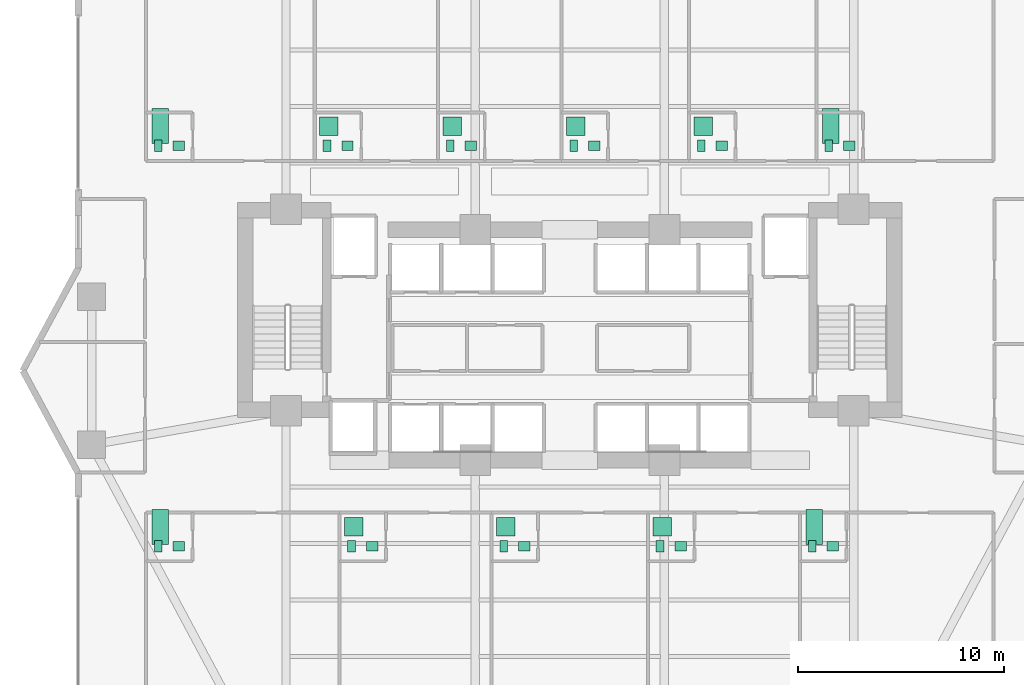
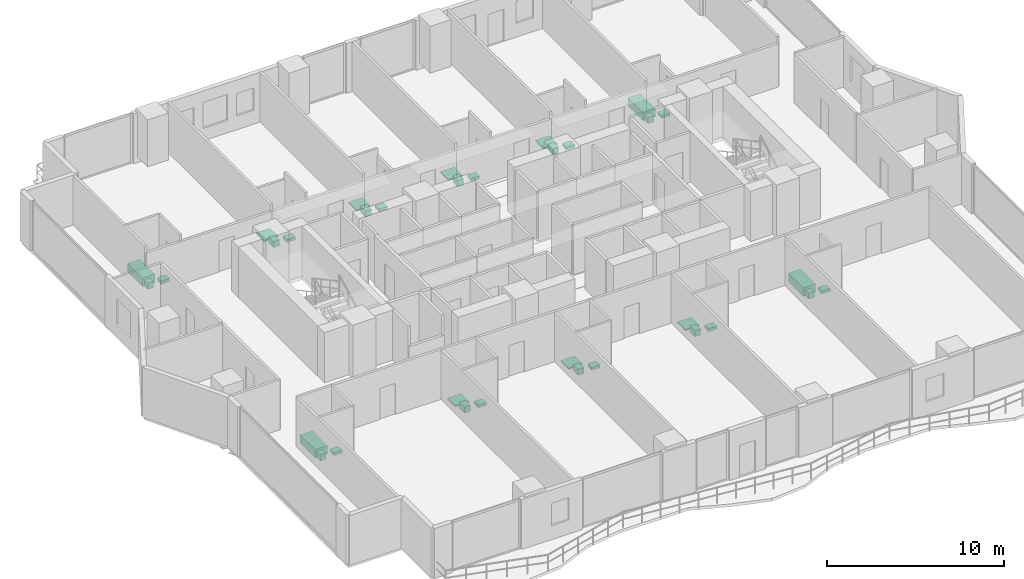
# One storey, part 29 of 29: 33 sanitary terminals.
"""IFC4 building model written with IfcOpenShell, lengths in metres."""

import ifcopenshell
import ifcopenshell.guid

model = None  # the IFC model being written
_history = None  # IfcOwnerHistory: only IFC2X3 demands one
_inside = {}  # id of a spatial element -> (the spatial element, [elements in it])
_under = {}  # id of a project, library or spatial element -> (it, [spatial elements below it])
_declared = {}  # id of a project -> (the project, [libraries it declares])
_typed = {}  # id of a type object -> (the type object, [elements of that type])
_made_of = {}  # id of a material, layer set ... -> (it, [elements and type objects made of it])


def new_model(schema):
    """Start an empty IFC model of exactly this schema.

    Asked for "IFC4X3", IfcOpenShell would pick the latest addendum, in which some entities
    have other attributes; the version numbers below select the first issue.
    IFC2X3 requires an IfcOwnerHistory on every rooted entity: one is made here for all.
    """
    global model, _history
    if schema == "IFC4X3":
        model = ifcopenshell.file(schema_version=(4, 3, 0, 0))
    else:
        model = ifcopenshell.file(schema=schema)
    _inside.clear()
    _under.clear()
    _declared.clear()
    _typed.clear()
    _made_of.clear()
    _history = None
    if model.schema == "IFC2X3":
        org = make("IfcOrganization", Name="unknown")
        user = make(
            "IfcPersonAndOrganization",
            ThePerson=make("IfcPerson", FamilyName="unknown"),
            TheOrganization=org,
        )
        app = make(
            "IfcApplication",
            ApplicationDeveloper=org,
            Version="unknown",
            ApplicationFullName="unknown",
            ApplicationIdentifier="unknown",
        )
        _history = make(
            "IfcOwnerHistory",
            OwningUser=user,
            OwningApplication=app,
            ChangeAction="ADDED",
            CreationDate=0,
        )
    return model


def make(cls, **values):
    """One entity of the class cls with the attributes given. An attribute that is None is left unset."""
    return model.create_entity(
        cls, **{name: value for name, value in values.items() if value is not None}
    )


def rooted(cls, **values):
    """An entity with a GlobalId (a new one), such as an element, a storey or a relation."""
    return make(cls, GlobalId=ifcopenshell.guid.new(), OwnerHistory=_history, **values)


def si_unit(unit_type, name, prefix=None):
    """IfcSIUnit, for example si_unit("LENGTHUNIT", "METRE", prefix="MILLI")."""
    return make("IfcSIUnit", UnitType=unit_type, Prefix=prefix, Name=name)


def assignment(units):
    """IfcUnitAssignment: the units of a project."""
    return None if units is None else make("IfcUnitAssignment", Units=units)


def point(xyz):
    """IfcCartesianPoint."""
    return None if xyz is None else make("IfcCartesianPoint", Coordinates=xyz)


def direction(xyz):
    """IfcDirection."""
    return None if xyz is None else make("IfcDirection", DirectionRatios=xyz)


def frame(location, z_axis=None, x_axis=None):
    """IfcAxis2Placement3D, a coordinate frame: its origin and axes. An axis left out is left unset."""
    return make(
        "IfcAxis2Placement3D",
        Location=point(location),
        Axis=direction(z_axis),
        RefDirection=direction(x_axis),
    )


def frame_2d(location, x_axis=None):
    """IfcAxis2Placement2D, a coordinate frame in the plane: its origin and x axis."""
    return make(
        "IfcAxis2Placement2D", Location=point(location), RefDirection=direction(x_axis)
    )


def origin():
    """The frame at (0, 0, 0) with its axes left unset."""
    return frame((0.0, 0.0, 0.0))


def origin_2d():
    """The frame at (0, 0) in the plane with its x axis left unset."""
    return frame_2d((0.0, 0.0))


def place(relative_to, where):
    """IfcLocalPlacement: puts the frame where relative to a parent placement (None: the world)."""
    return make(
        "IfcLocalPlacement", PlacementRelTo=relative_to, RelativePlacement=where
    )


def context(
    kind, dimensions, precision=None, world=None, true_north=None, identifier=None
):
    """IfcGeometricRepresentationContext, for example the 3D "Model" context."""
    return make(
        "IfcGeometricRepresentationContext",
        ContextIdentifier=identifier,
        ContextType=kind,
        CoordinateSpaceDimension=dimensions,
        Precision=precision,
        WorldCoordinateSystem=world,
        TrueNorth=true_north,
    )


def subcontext(parent, identifier, kind, view, scale=None):
    """IfcGeometricRepresentationSubContext, for example "Body" below "Model"."""
    return make(
        "IfcGeometricRepresentationSubContext",
        ContextIdentifier=identifier,
        ContextType=kind,
        ParentContext=parent,
        TargetScale=scale,
        TargetView=view,
    )


def project(units=None, contexts=None):
    """IfcProject with its units and contexts."""
    return rooted(
        "IfcProject",
        Name="project",
        RepresentationContexts=contexts,
        UnitsInContext=assignment(units),
    )


def spatial(cls, under=None, at=None, **own):
    """A site, building, storey or space (cls), placed at a placement, below another one or the project."""
    s = rooted(cls, ObjectPlacement=at, **own)
    if under is not None:
        _under.setdefault(under.id(), (under, []))[1].append(s)
    return s


def profile(cls, at=None, kind="AREA", **sizes):
    """A parametric profile (cls). Its sizes go by their IFC names, for example OverallWidth=200.0."""
    return make(cls, ProfileType=kind, Position=at, **sizes)


def rectangle(**sizes):
    """IfcRectangleProfileDef."""
    return profile("IfcRectangleProfileDef", **sizes)


def extrude(swept, where, along, depth):
    """IfcExtrudedAreaSolid: the profile swept, set in the frame where, extruded along a direction by depth."""
    return make(
        "IfcExtrudedAreaSolid",
        SweptArea=swept,
        Position=where,
        ExtrudedDirection=direction(along),
        Depth=depth,
    )


def shape(context_of_items, identifier, shape_type, items):
    """IfcShapeRepresentation: the items that make up one representation, for example the "Body"."""
    return make(
        "IfcShapeRepresentation",
        ContextOfItems=context_of_items,
        RepresentationIdentifier=identifier,
        RepresentationType=shape_type,
        Items=items,
    )


def material(Name=None, Category=None):
    """IfcMaterial."""
    return make("IfcMaterial", Name=Name, Category=Category)


def made_of(thing, what):
    """Note that an element or type object is made of a material, layer set ...; save() writes the relation."""
    if what is not None:
        _made_of.setdefault(what.id(), (what, []))[1].append(thing)
    return thing


def type_object(cls, material=None, **own):
    """A type object (cls), such as IfcWallType, which elements share."""
    return made_of(rooted(cls, **own), material)


def element(
    cls,
    number,
    at=None,
    inside=None,
    cuts=None,
    type_object=None,
    material=None,
    context=None,
    identifier="Body",
    shape_type=None,
    held_by="IfcProductDefinitionShape",
    body=None,
    shapes=None,
    **own,
):
    """One element of the class cls, such as IfcWall. Its Tag is "e" and its number.

    at: its placement. inside: the storey or other place that contains it. cuts: it is an
    opening in that element (IfcRelVoidsElement). A single representation is given by context,
    identifier, shape_type and body (its items); several are given by shapes. held_by: the class
    of the entity that holds the representations. save() writes the other relations.
    """
    e = rooted(cls, Tag="e%d" % number, ObjectPlacement=at, **own)
    if body is not None:
        shapes = [shape(context, identifier, shape_type, body)]
    if shapes is not None:
        e.Representation = make(held_by, Representations=shapes)
    if inside is not None:
        _inside.setdefault(inside.id(), (inside, []))[1].append(e)
    if cuts is not None:
        rooted(
            "IfcRelVoidsElement", RelatingBuildingElement=cuts, RelatedOpeningElement=e
        )
    if type_object is not None:
        _typed.setdefault(type_object.id(), (type_object, []))[1].append(e)
    return made_of(e, material)


def aggregate(whole, parts):
    """IfcRelAggregates: a whole, such as a stair, and the parts it consists of."""
    return rooted("IfcRelAggregates", RelatingObject=whole, RelatedObjects=parts)


def save(model, path):
    """Write the relations noted so far, then the file.

    IfcRelAggregates (storeys below a building ...), IfcRelContainedInSpatialStructure (elements
    in a storey), IfcRelDefinesByType, IfcRelAssociatesMaterial and IfcRelDeclares: one each for
    every whole, place, type object, material and project.
    """
    for whole, parts in _under.values():
        aggregate(whole, parts)
    for where, things in _inside.values():
        rooted(
            "IfcRelContainedInSpatialStructure",
            RelatedElements=things,
            RelatingStructure=where,
        )
    for kind, things in _typed.values():
        rooted("IfcRelDefinesByType", RelatedObjects=things, RelatingType=kind)
    for what, things in _made_of.values():
        rooted("IfcRelAssociatesMaterial", RelatedObjects=things, RelatingMaterial=what)
    for by, libraries in _declared.values():
        rooted("IfcRelDeclares", RelatingContext=by, RelatedDefinitions=libraries)
    model.write(path)


model = new_model("IFC4")

# Units and contexts
model_context = context("Model", 3, precision=1e-05, world=origin(), true_north=direction((0.0, 1.0)))
body_context = subcontext(model_context, "Body", "Model", "MODEL_VIEW")
ifc_project = project(units=[si_unit("LENGTHUNIT", "METRE"), si_unit("AREAUNIT", "SQUARE_METRE"), si_unit("VOLUMEUNIT", "CUBIC_METRE"), si_unit("PLANEANGLEUNIT", "RADIAN"), si_unit("MASSUNIT", "GRAM", prefix="KILO")], contexts=[model_context])

# Site, building, storey
site_placement = place(None, origin())
site = spatial("IfcSite", under=ifc_project, at=site_placement, CompositionType="ELEMENT")
building_placement = place(site_placement, origin())
building = spatial("IfcBuilding", under=site, at=building_placement, Name="Zuhayl Quay Hotel", CompositionType="ELEMENT")
storey_placement = place(building_placement, frame((0.0, 0.0, 95.64990234375)))
storey = spatial("IfcBuildingStorey", under=building, at=storey_placement, Name="L23", CompositionType="ELEMENT", Elevation=95.64990234375)

# Sanitary terminals
ifc_material = material(Name="Vitreous Porcelain Sanitaryware")
sanitary_terminal_type_1 = type_object("IfcSanitaryTerminalType", Name="SAN_BASIN", PredefinedType="WASHHANDBASIN", material=ifc_material)
for number, where, z_axis, x_axis, name in (
    (1, (-19.010009765625, 17.43994140625, 0.0), (0.0, 0.0, 1.0), (1.0, 0.0, 0.0), "L23 Sanitary Fixture WASHHANDBASIN"),
    (2, (-10.81005859375, 17.43994140625, 0.0), (0.0, 0.0, 1.0), (1.0, 0.0, 0.0), "L23 Sanitary Fixture WASHHANDBASIN"),
    (3, (-4.81005859375, 17.43994140625, 0.0), (0.0, 0.0, 1.0), (1.0, 0.0, 0.0), "L23 Sanitary Fixture WASHHANDBASIN"),
    (4, (1.18994140625, 17.43994140625, 0.0), (0.0, 0.0, 1.0), (1.0, 0.0, 0.0), "L23 Sanitary Fixture WASHHANDBASIN"),
    (5, (7.389892578125, 17.43994140625, 0.0), (0.0, 0.0, 1.0), (1.0, 0.0, 0.0), "L23 Sanitary Fixture WASHHANDBASIN"),
    (6, (13.590087890625, 17.43994140625, 0.0), (0.0, 0.0, 1.0), (1.0, 0.0, 0.0), "L23 Sanitary Fixture WASHHANDBASIN"),
    (7, (-19.010009765625, -2.0400390625, 0.0), (0.0, 0.0, 1.0), (1.0, 0.0, 0.0), "L23 Sanitary Fixture WASHHANDBASIN"),
    (8, (-9.610107421875, -2.0400390625, 0.0), (0.0, 0.0, 1.0), (1.0, 0.0, 0.0), "L23 Sanitary Fixture WASHHANDBASIN"),
    (9, (-2.2099609375, -2.0400390625, 0.0), (0.0, 0.0, 1.0), (1.0, 0.0, 0.0), "L23 Sanitary Fixture WASHHANDBASIN"),
    (10, (5.389892578125, -2.0400390625, 0.0), (0.0, 0.0, 1.0), (1.0, 0.0, 0.0), "L23 Sanitary Fixture WASHHANDBASIN"),
    (11, (12.7900390625, -2.0400390625, 0.0), (0.0, 0.0, 1.0), (1.0, 0.0, 0.0), "L23 Sanitary Fixture WASHHANDBASIN"),
):
    element("IfcSanitaryTerminal", number, at=place(storey_placement, frame(where, z_axis=z_axis, x_axis=x_axis)), inside=storey, type_object=sanitary_terminal_type_1, Name=name, PredefinedType="WASHHANDBASIN", context=body_context, shape_type="SweptSolid", body=[
        extrude(rectangle(XDim=0.550048828125, YDim=0.449951171875, at=origin_2d()), origin(), (0.0, 0.0, 1.0), 0.199951171875),
    ])
sanitary_terminal_type_2 = type_object("IfcSanitaryTerminalType", Name="SAN_BATH", PredefinedType="BATH", material=ifc_material)
for number, where, z_axis, x_axis, name in (
    (12, (-19.909912109375, 18.389892578125, 0.0), (0.0, 0.0, 1.0), (1.0, 0.0, 0.0), "L23 Sanitary Fixture BATH"),
    (13, (12.68994140625, 18.389892578125, 0.0), (0.0, 0.0, 1.0), (1.0, 0.0, 0.0), "L23 Sanitary Fixture BATH"),
    (14, (-19.909912109375, -1.090087890625, 0.0), (0.0, 0.0, 1.0), (1.0, 0.0, 0.0), "L23 Sanitary Fixture BATH"),
    (15, (11.889892578125, -1.090087890625, 0.0), (0.0, 0.0, 1.0), (1.0, 0.0, 0.0), "L23 Sanitary Fixture BATH"),
):
    element("IfcSanitaryTerminal", number, at=place(storey_placement, frame(where, z_axis=z_axis, x_axis=x_axis)), inside=storey, type_object=sanitary_terminal_type_2, Name=name, PredefinedType="BATH", context=body_context, shape_type="SweptSolid", body=[
        extrude(rectangle(XDim=0.800048828125, YDim=1.699951171875, at=origin_2d()), origin(), (0.0, 0.0, 1.0), 0.580078125),
    ])
sanitary_terminal_type_3 = type_object("IfcSanitaryTerminalType", Name="SAN_SHOWER", PredefinedType="SHOWER", material=ifc_material)
for number, where, z_axis, x_axis, name in (
    (16, (-11.7099609375, 18.389892578125, 0.0), (0.0, 0.0, 1.0), (1.0, 0.0, 0.0), "L23 Sanitary Fixture SHOWER"),
    (17, (-5.7099609375, 18.389892578125, 0.0), (0.0, 0.0, 1.0), (1.0, 0.0, 0.0), "L23 Sanitary Fixture SHOWER"),
    (18, (0.2900390625, 18.389892578125, 0.0), (0.0, 0.0, 1.0), (1.0, 0.0, 0.0), "L23 Sanitary Fixture SHOWER"),
    (19, (6.489990234375, 18.389892578125, 0.0), (0.0, 0.0, 1.0), (1.0, 0.0, 0.0), "L23 Sanitary Fixture SHOWER"),
    (20, (-10.510009765625, -1.090087890625, 0.0), (0.0, 0.0, 1.0), (1.0, 0.0, 0.0), "L23 Sanitary Fixture SHOWER"),
    (21, (-3.110107421875, -1.090087890625, 0.0), (0.0, 0.0, 1.0), (1.0, 0.0, 0.0), "L23 Sanitary Fixture SHOWER"),
    (22, (4.489990234375, -1.090087890625, 0.0), (0.0, 0.0, 1.0), (1.0, 0.0, 0.0), "L23 Sanitary Fixture SHOWER"),
):
    element("IfcSanitaryTerminal", number, at=place(storey_placement, frame(where, z_axis=z_axis, x_axis=x_axis)), inside=storey, type_object=sanitary_terminal_type_3, Name=name, PredefinedType="SHOWER", context=body_context, shape_type="SweptSolid", body=[
        extrude(rectangle(XDim=0.89990234375, YDim=0.89990234375, at=origin_2d()), origin(), (0.0, 0.0, 1.0), 0.080078125),
    ])
sanitary_terminal_type_4 = type_object("IfcSanitaryTerminalType", Name="SAN_WC", PredefinedType="TOILETPAN", material=ifc_material)
for number, where, z_axis, x_axis, name in (
    (23, (-20.010009765625, 17.43994140625, 0.000244140625), (0.0, 0.0, 1.0), (1.0, 0.0, 0.0), "L23 Sanitary Fixture TOILETPAN"),
    (24, (-11.81005859375, 17.43994140625, 0.000244140625), (0.0, 0.0, 1.0), (1.0, 0.0, 0.0), "L23 Sanitary Fixture TOILETPAN"),
    (25, (-5.81005859375, 17.43994140625, 0.000244140625), (0.0, 0.0, 1.0), (1.0, 0.0, 0.0), "L23 Sanitary Fixture TOILETPAN"),
    (26, (0.18994140625, 17.43994140625, 0.000244140625), (0.0, 0.0, 1.0), (1.0, 0.0, 0.0), "L23 Sanitary Fixture TOILETPAN"),
    (27, (6.389892578125, 17.43994140625, 0.000244140625), (0.0, 0.0, 1.0), (1.0, 0.0, 0.0), "L23 Sanitary Fixture TOILETPAN"),
    (28, (12.590087890625, 17.43994140625, 0.000244140625), (0.0, 0.0, 1.0), (1.0, 0.0, 0.0), "L23 Sanitary Fixture TOILETPAN"),
    (29, (-20.010009765625, -2.0400390625, 0.000244140625), (0.0, 0.0, 1.0), (1.0, 0.0, 0.0), "L23 Sanitary Fixture TOILETPAN"),
    (30, (-10.610107421875, -2.0400390625, 0.000244140625), (0.0, 0.0, 1.0), (1.0, 0.0, 0.0), "L23 Sanitary Fixture TOILETPAN"),
    (31, (-3.2099609375, -2.0400390625, 0.000244140625), (0.0, 0.0, 1.0), (1.0, 0.0, 0.0), "L23 Sanitary Fixture TOILETPAN"),
    (32, (4.389892578125, -2.0400390625, 0.000244140625), (0.0, 0.0, 1.0), (1.0, 0.0, 0.0), "L23 Sanitary Fixture TOILETPAN"),
    (33, (11.7900390625, -2.0400390625, 0.000244140625), (0.0, 0.0, 1.0), (1.0, 0.0, 0.0), "L23 Sanitary Fixture TOILETPAN"),
):
    element("IfcSanitaryTerminal", number, at=place(storey_placement, frame(where, z_axis=z_axis, x_axis=x_axis)), inside=storey, type_object=sanitary_terminal_type_4, Name=name, PredefinedType="TOILETPAN", context=body_context, shape_type="SweptSolid", body=[
        extrude(rectangle(XDim=0.3798828125, YDim=0.56005859375, at=origin_2d()), origin(), (0.0, 0.0, 1.0), 0.419921875),
    ])

save(model, "model.ifc")
